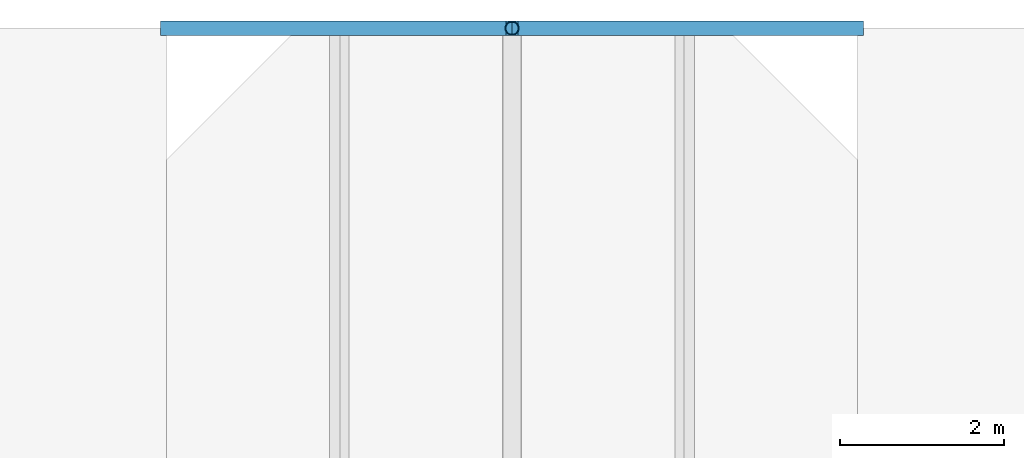
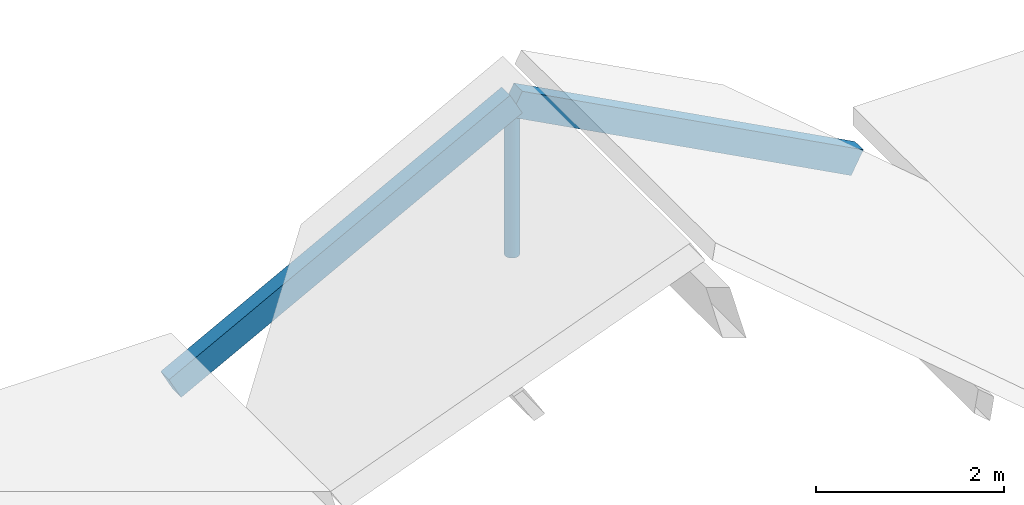
# One storey, part 68 of 82: 3 members.
"""IFC4 building model written with IfcOpenShell, lengths in metres."""

from ifc_helpers import new_model, si_unit, direction, frame, origin, origin_2d, place, context, subcontext, project, spatial, rectangle, hollow_circle, extrude, material, material_profile, profile_set, type_object, element, save


model = new_model("IFC4")

# Units and contexts
model_context = context("Model", 3, precision=1e-05, world=origin(), true_north=direction((0.0, 1.0)))
body_context = subcontext(model_context, "Body", "Model", "MODEL_VIEW")
ifc_project = project(units=[si_unit("LENGTHUNIT", "METRE"), si_unit("AREAUNIT", "SQUARE_METRE"), si_unit("VOLUMEUNIT", "CUBIC_METRE"), si_unit("PLANEANGLEUNIT", "RADIAN"), si_unit("MASSUNIT", "GRAM", prefix="KILO")], contexts=[model_context])

# Site, building, storey
site_placement = place(None, origin())
site = spatial("IfcSite", under=ifc_project, at=site_placement, CompositionType="ELEMENT")
building_placement = place(site_placement, origin())
building = spatial("IfcBuilding", under=site, at=building_placement, Name="Bramfleet General Hospital", CompositionType="ELEMENT")
storey_placement = place(building_placement, frame((0.0, 0.0, 34.199951171875)))
storey = spatial("IfcBuildingStorey", under=building, at=storey_placement, Name="Roof", CompositionType="ELEMENT", Elevation=34.199951171875)

# Members
ifc_material_1 = material(Name="Structural timber GL28h", Category="wood")
ifc_material_profile_1 = material_profile(ifc_material_1, rectangle(XDim=0.179931640625, YDim=0.320068359375, at=origin_2d()), Name="GL28h 320x180")
ifc_profile_set_1 = profile_set([ifc_material_profile_1], Name="Structural timber GL28h")
member_type_1 = type_object("IfcMemberType", Name="MEM-RF-GL320", PredefinedType="RAFTER", material=ifc_profile_set_1)
for number, where, z_axis, x_axis, name in (
    (1, (109.199951171875, 117.60009765625, -0.671875), (0.882947536541, 0.0, 0.469471668705), (0.0, 1.0, 0.0), "Patient House PH-04 West Glulam Rafter 3"),
    (2, (113.39990234375, 117.60009765625, 1.561279296875), (0.882958848035, 0.0, -0.469450394267), (0.0, 1.0, 0.0), "Patient House PH-04 East Glulam Rafter 3"),
):
    element("IfcMember", number, at=place(storey_placement, frame(where, z_axis=z_axis, x_axis=x_axis)), inside=storey, type_object=member_type_1, Name=name, PredefinedType="RAFTER", context=body_context, shape_type="SweptSolid", body=[
        extrude(rectangle(XDim=0.179931640625, YDim=0.320068359375, at=origin_2d()), origin(), (0.0, 0.0, 1.0), 4.7568359375),
    ])
ifc_material_2 = material(Name="Steel S355", Category="steel")
ifc_material_profile_2 = material_profile(ifc_material_2, hollow_circle(Radius=0.084228515625, WallThickness=0.008056640625, at=origin_2d()), Name="CHS 168.3x8.0")
ifc_profile_set_2 = profile_set([ifc_material_profile_2], Name="Steel S355")
member_type_2 = type_object("IfcMemberType", Name="MEM-SF-DG1", PredefinedType="STRUT", material=ifc_profile_set_2)
member_placement = place(storey_placement, frame((113.39990234375, 117.60009765625, -0.43994140625), z_axis=(0.0, 0.0, 1.0), x_axis=(1.0, 0.0, 0.0)))
element("IfcMember", 3, at=member_placement, inside=storey, type_object=member_type_2, Name="Patient House PH-04 Ridge Timber Post 3", PredefinedType="STRUT", context=body_context, shape_type="SweptSolid", body=[
    extrude(hollow_circle(Radius=0.084228515625, WallThickness=0.008056640625, at=origin_2d()), origin(), (0.0, 0.0, 1.0), 2.001220703125),
])

save(model, "model.ifc")
